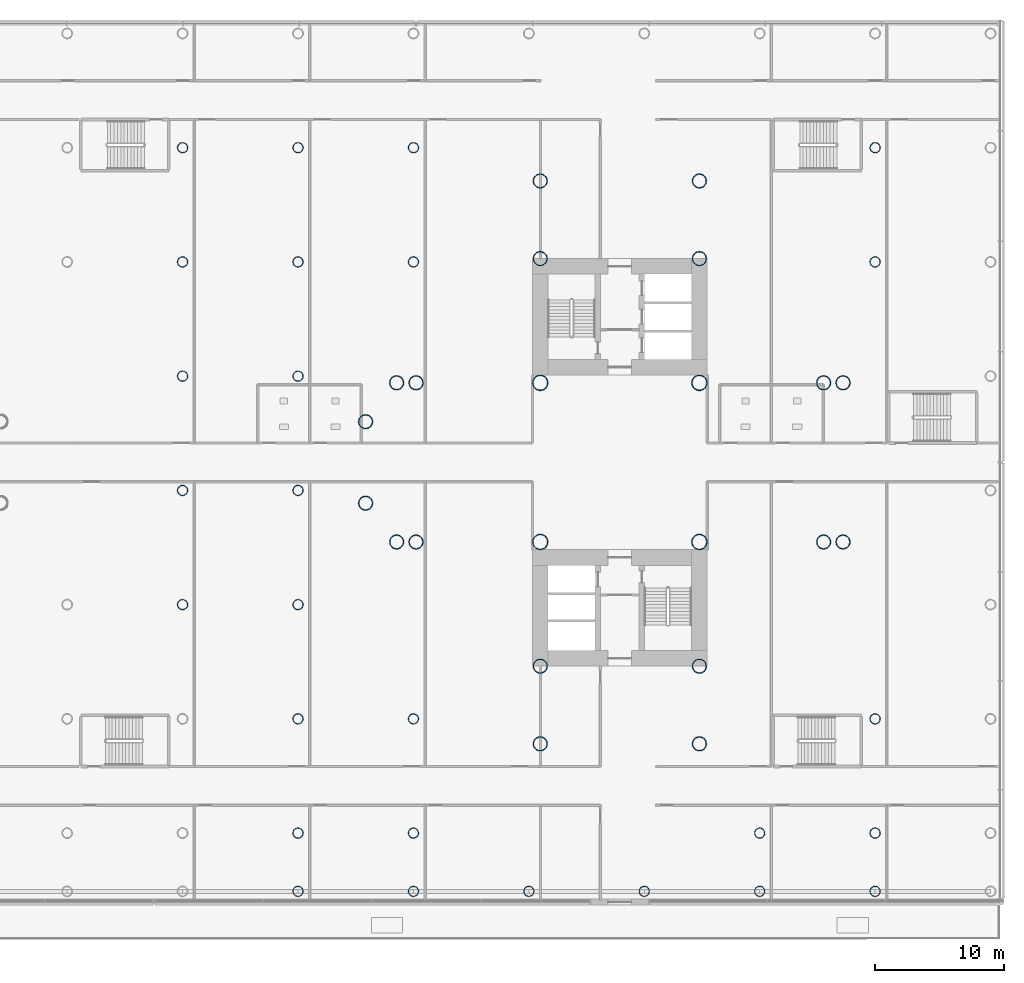
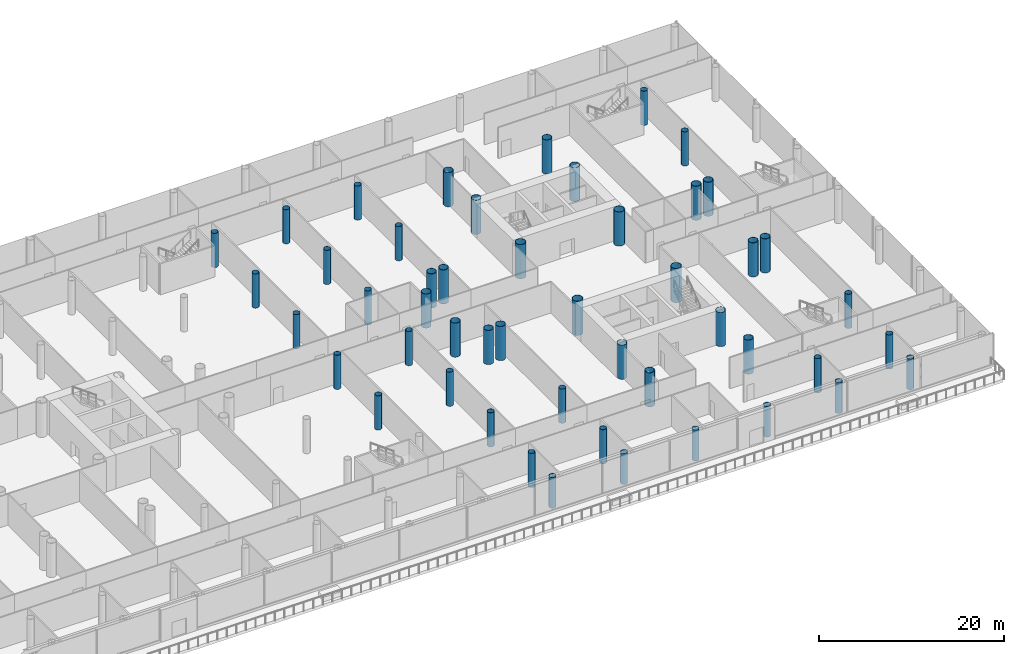
# One storey, part 2 of 51: 49 columns.
"""IFC4 building model written with IfcOpenShell, lengths in metres."""

from ifc_helpers import new_model, si_unit, direction, frame, origin, origin_2d, place, context, subcontext, project, spatial, hollow_circle, extrude, material, material_profile, profile_set, type_object, element, save


model = new_model("IFC4")

# Units and contexts
model_context = context("Model", 3, precision=1e-05, world=origin(), true_north=direction((0.0, 1.0)))
body_context = subcontext(model_context, "Body", "Model", "MODEL_VIEW")
ifc_project = project(units=[si_unit("LENGTHUNIT", "METRE"), si_unit("AREAUNIT", "SQUARE_METRE"), si_unit("VOLUMEUNIT", "CUBIC_METRE"), si_unit("PLANEANGLEUNIT", "RADIAN"), si_unit("MASSUNIT", "GRAM", prefix="KILO")], contexts=[model_context])

# Site, building, storey
site_placement = place(None, origin())
site = spatial("IfcSite", under=ifc_project, at=site_placement, CompositionType="ELEMENT")
building_placement = place(site_placement, origin())
building = spatial("IfcBuilding", under=site, at=building_placement, Name="Ipe Terrace Towers", CompositionType="ELEMENT")
storey_placement = place(building_placement, frame((0.0, 0.0, 15.5)))
storey = spatial("IfcBuildingStorey", under=building, at=storey_placement, Name="L03", CompositionType="ELEMENT", Elevation=15.5)

# Columns
ifc_material_1 = material(Name="Steel S355 tube with Concrete C60/75 fill", Category="concrete")
ifc_material_profile_1 = material_profile(ifc_material_1, hollow_circle(Radius=0.550048828125, WallThickness=0.0400390625, at=origin_2d()), Name="CHS-1100x40")
ifc_profile_set_1 = profile_set([ifc_material_profile_1], Name="Steel S355 tube with Concrete C60/75 fill")
column_type_1 = type_object("IfcColumnType", Name="CH02 COLUMN CHS-1100x40", PredefinedType="COLUMN", material=ifc_profile_set_1)
for number, where, z_axis, x_axis, name in (
    (1, (42.14990234375, 15.75, 0.0), (0.0, 0.0, 1.0), (1.0, 0.0, 0.0), "Column T2-C-A01"),
    (2, (29.85009765625, 15.75, 0.0), (0.0, 0.0, 1.0), (1.0, 0.0, 0.0), "Column T2-C-A02"),
    (3, (42.14990234375, 21.75, 0.0), (0.0, 0.0, 1.0), (1.0, 0.0, 0.0), "Column T2-C-A03"),
    (4, (29.85009765625, 21.75, 0.0), (0.0, 0.0, 1.0), (1.0, 0.0, 0.0), "Column T2-C-A04"),
    (5, (20.25, 6.14990234375, 0.0), (0.0, 0.0, 1.0), (1.0, 0.0, 0.0), "Column T2-C-B03"),
    (6, (20.25, -6.14990234375, 0.0), (0.0, 0.0, 1.0), (1.0, 0.0, 0.0), "Column T2-C-B04"),
    (7, (18.75, 6.14990234375, 0.0), (0.0, 0.0, 1.0), (1.0, 0.0, 0.0), "Column T2-C-B05"),
    (8, (18.75, -6.14990234375, 0.0), (0.0, 0.0, 1.0), (1.0, 0.0, 0.0), "Column T2-C-B06"),
    (9, (16.35009765625, 3.14990234375, 0.0), (0.0, 0.0, 1.0), (1.0, 0.0, 0.0), "Column T2-C-B07"),
    (10, (16.35009765625, -3.14990234375, 0.0), (0.0, 0.0, 1.0), (1.0, 0.0, 0.0), "Column T2-C-B08"),
    (11, (42.14990234375, -15.75, 0.0), (0.0, 0.0, 1.0), (1.0, 0.0, 0.0), "Column T2-C-C01"),
    (12, (29.85009765625, -15.75, 0.0), (0.0, 0.0, 1.0), (1.0, 0.0, 0.0), "Column T2-C-C02"),
    (13, (42.14990234375, -21.75, 0.0), (0.0, 0.0, 1.0), (1.0, 0.0, 0.0), "Column T2-C-C03"),
    (14, (29.85009765625, -21.75, 0.0), (0.0, 0.0, 1.0), (1.0, 0.0, 0.0), "Column T2-C-C04"),
    (15, (51.75, -6.14990234375, 0.0), (0.0, 0.0, 1.0), (1.0, 0.0, 0.0), "Column T2-C-D03"),
    (16, (51.75, 6.14990234375, 0.0), (0.0, 0.0, 1.0), (1.0, 0.0, 0.0), "Column T2-C-D04"),
    (17, (53.25, -6.14990234375, 0.0), (0.0, 0.0, 1.0), (1.0, 0.0, 0.0), "Column T2-C-D05"),
    (18, (53.25, 6.14990234375, 0.0), (0.0, 0.0, 1.0), (1.0, 0.0, 0.0), "Column T2-C-D06"),
):
    element("IfcColumn", number, at=place(storey_placement, frame(where, z_axis=z_axis, x_axis=x_axis)), inside=storey, type_object=column_type_1, Name=name, PredefinedType="COLUMN", context=body_context, shape_type="SweptSolid", body=[
        extrude(hollow_circle(Radius=0.550048828125, WallThickness=0.0400390625, at=origin_2d()), origin(), (0.0, 0.0, 1.0), 4.5),
    ])
ifc_material_2 = material(Name="Steel S355 tube with Concrete C60/75 fill", Category="concrete")
ifc_material_profile_2 = material_profile(ifc_material_2, hollow_circle(Radius=0.60009765625, WallThickness=0.044921875, at=origin_2d()), Name="CHS-1200x45")
ifc_profile_set_2 = profile_set([ifc_material_profile_2], Name="Steel S355 tube with Concrete C60/75 fill")
column_type_2 = type_object("IfcColumnType", Name="CH03 COLUMN CHS-1200x45", PredefinedType="COLUMN", material=ifc_profile_set_2)
for number, where, z_axis, x_axis, name in (
    (19, (42.14990234375, -6.14990234375, 0.0), (0.0, 0.0, 1.0), (1.0, 0.0, 0.0), "Column T2-C-E01"),
    (20, (42.14990234375, 6.14990234375, 0.0), (0.0, 0.0, 1.0), (1.0, 0.0, 0.0), "Column T2-C-E02"),
    (21, (29.85009765625, 6.14990234375, 0.0), (0.0, 0.0, 1.0), (1.0, 0.0, 0.0), "Column T2-C-E03"),
    (22, (29.85009765625, -6.14990234375, 0.0), (0.0, 0.0, 1.0), (1.0, 0.0, 0.0), "Column T2-C-E04"),
):
    element("IfcColumn", number, at=place(storey_placement, frame(where, z_axis=z_axis, x_axis=x_axis)), inside=storey, type_object=column_type_2, Name=name, PredefinedType="COLUMN", context=body_context, shape_type="SweptSolid", body=[
        extrude(hollow_circle(Radius=0.60009765625, WallThickness=0.044921875, at=origin_2d()), origin(), (0.0, 0.0, 1.0), 4.5),
    ])
ifc_material_3 = material(Name="Steel S355 tube with Concrete C60/75 fill", Category="concrete")
ifc_material_profile_3 = material_profile(ifc_material_3, hollow_circle(Radius=0.39990234375, WallThickness=0.028076171875, at=origin_2d()), Name="CHS-800x28")
ifc_profile_set_3 = profile_set([ifc_material_profile_3], Name="Steel S355 tube with Concrete C60/75 fill")
column_type_3 = type_object("IfcColumnType", Name="CH09 PODIUM COLUMN CHS-800x28", PredefinedType="COLUMN", material=ifc_profile_set_3)
for number, where, z_axis, x_axis, name in (
    (23, (11.1298828125, -33.14990234375, 0.0), (0.0, 0.0, 1.0), (1.0, 0.0, 0.0), "Column PD-C-C10"),
    (24, (20.050048828125, -33.14990234375, 0.0), (0.0, 0.0, 1.0), (1.0, 0.0, 0.0), "Column PD-C-C11"),
    (25, (28.969970703125, -33.14990234375, 0.0), (0.0, 0.0, 1.0), (1.0, 0.0, 0.0), "Column PD-C-C12"),
    (26, (37.889892578125, -33.14990234375, 0.0), (0.0, 0.0, 1.0), (1.0, 0.0, 0.0), "Column PD-C-C13"),
    (27, (46.81005859375, -33.14990234375, 0.0), (0.0, 0.0, 1.0), (1.0, 0.0, 0.0), "Column PD-C-C14"),
    (28, (55.72998046875, -33.14990234375, 0.0), (0.0, 0.0, 1.0), (1.0, 0.0, 0.0), "Column PD-C-C15"),
):
    element("IfcColumn", number, at=place(storey_placement, frame(where, z_axis=z_axis, x_axis=x_axis)), inside=storey, type_object=column_type_3, Name=name, PredefinedType="COLUMN", context=body_context, shape_type="SweptSolid", body=[
        extrude(hollow_circle(Radius=0.39990234375, WallThickness=0.028076171875, at=origin_2d()), origin(), (0.0, 0.0, 1.0), 4.080078125),
    ])
for number, where, z_axis, x_axis, name in (
    (29, (11.1298828125, -28.64990234375, 0.0), (0.0, 0.0, 1.0), (1.0, 0.0, 0.0), "Column PD-C-D10"),
    (30, (20.050048828125, -28.64990234375, 0.0), (0.0, 0.0, 1.0), (1.0, 0.0, 0.0), "Column PD-C-D11"),
    (31, (46.81005859375, -28.64990234375, 0.0), (0.0, 0.0, 1.0), (1.0, 0.0, 0.0), "Column PD-C-D14"),
    (32, (55.72998046875, -28.64990234375, 0.0), (0.0, 0.0, 1.0), (1.0, 0.0, 0.0), "Column PD-C-D15"),
    (33, (11.1298828125, -19.821044921875, 0.0), (0.0, 0.0, 1.0), (1.0, 0.0, 0.0), "Column PD-C-E10"),
    (34, (20.050048828125, -19.821044921875, 0.0), (0.0, 0.0, 1.0), (1.0, 0.0, 0.0), "Column PD-C-E11"),
    (35, (55.72998046875, -19.821044921875, 0.0), (0.0, 0.0, 1.0), (1.0, 0.0, 0.0), "Column PD-C-E15"),
    (36, (2.2099609375, -10.992919921875, 0.0), (0.0, 0.0, 1.0), (1.0, 0.0, 0.0), "Column PD-C-F09"),
    (37, (11.1298828125, -10.992919921875, 0.0), (0.0, 0.0, 1.0), (1.0, 0.0, 0.0), "Column PD-C-F10"),
    (38, (2.2099609375, -2.1640625, 0.0), (0.0, 0.0, 1.0), (1.0, 0.0, 0.0), "Column PD-C-G09"),
    (39, (11.1298828125, -2.1640625, 0.0), (0.0, 0.0, 1.0), (1.0, 0.0, 0.0), "Column PD-C-G10"),
    (40, (2.2099609375, 6.6640625, 0.0), (0.0, 0.0, 1.0), (1.0, 0.0, 0.0), "Column PD-C-H09"),
    (41, (11.1298828125, 6.6640625, 0.0), (0.0, 0.0, 1.0), (1.0, 0.0, 0.0), "Column PD-C-H10"),
    (42, (2.2099609375, 15.492919921875, 0.0), (0.0, 0.0, 1.0), (1.0, 0.0, 0.0), "Column PD-C-I09"),
    (43, (11.1298828125, 15.492919921875, 0.0), (0.0, 0.0, 1.0), (1.0, 0.0, 0.0), "Column PD-C-I10"),
    (44, (20.050048828125, 15.492919921875, 0.0), (0.0, 0.0, 1.0), (1.0, 0.0, 0.0), "Column PD-C-I11"),
    (45, (55.72998046875, 15.492919921875, 0.0), (0.0, 0.0, 1.0), (1.0, 0.0, 0.0), "Column PD-C-I15"),
    (46, (2.2099609375, 24.321044921875, 0.0), (0.0, 0.0, 1.0), (1.0, 0.0, 0.0), "Column PD-C-J09"),
    (47, (11.1298828125, 24.321044921875, 0.0), (0.0, 0.0, 1.0), (1.0, 0.0, 0.0), "Column PD-C-J10"),
    (48, (20.050048828125, 24.321044921875, 0.0), (0.0, 0.0, 1.0), (1.0, 0.0, 0.0), "Column PD-C-J11"),
    (49, (55.72998046875, 24.321044921875, 0.0), (0.0, 0.0, 1.0), (1.0, 0.0, 0.0), "Column PD-C-J15"),
):
    element("IfcColumn", number, at=place(storey_placement, frame(where, z_axis=z_axis, x_axis=x_axis)), inside=storey, type_object=column_type_3, Name=name, PredefinedType="COLUMN", context=body_context, shape_type="SweptSolid", body=[
        extrude(hollow_circle(Radius=0.39990234375, WallThickness=0.028076171875, at=origin_2d()), origin(), (0.0, 0.0, 1.0), 4.5),
    ])

save(model, "model.ifc")
